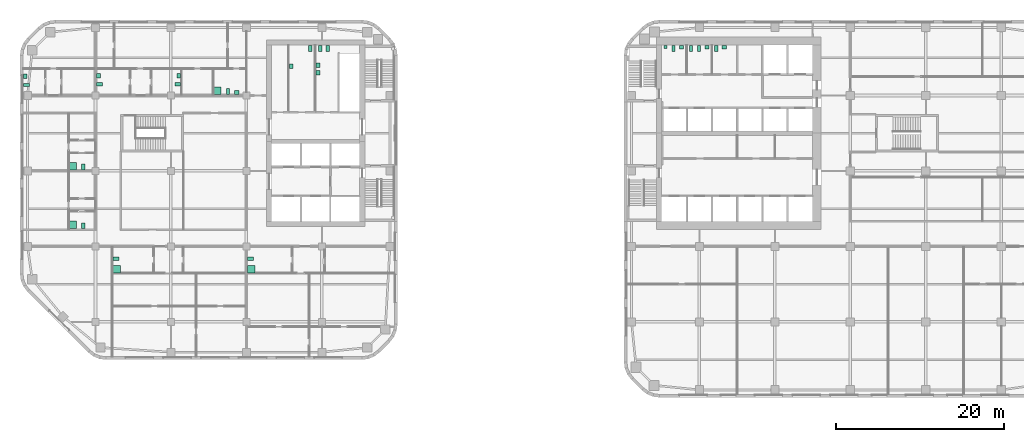
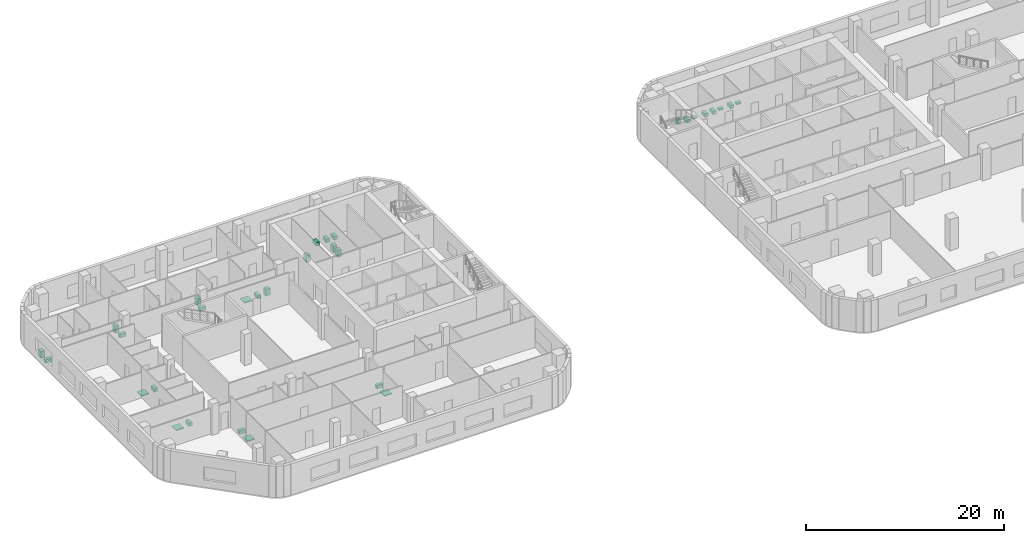
# One storey, part 16 of 16: 31 sanitary terminals.
"""IFC4 building model written with IfcOpenShell, lengths in metres."""

from ifc_helpers import new_model, si_unit, direction, frame, origin, origin_2d, place, context, subcontext, project, spatial, rectangle, extrude, material, type_object, element, save


model = new_model("IFC4")

# Units and contexts
model_context = context("Model", 3, precision=1e-05, world=origin(), true_north=direction((0.0, 1.0)))
body_context = subcontext(model_context, "Body", "Model", "MODEL_VIEW")
ifc_project = project(units=[si_unit("LENGTHUNIT", "METRE"), si_unit("AREAUNIT", "SQUARE_METRE"), si_unit("VOLUMEUNIT", "CUBIC_METRE"), si_unit("PLANEANGLEUNIT", "RADIAN"), si_unit("MASSUNIT", "GRAM", prefix="KILO")], contexts=[model_context])

# Site, building, storey
site_placement = place(None, origin())
site = spatial("IfcSite", under=ifc_project, at=site_placement, CompositionType="ELEMENT")
building_placement = place(site_placement, origin())
building = spatial("IfcBuilding", under=site, at=building_placement, Name="Cinnabar Reach Civic Tower", CompositionType="ELEMENT")
storey_placement = place(building_placement, frame((0.0, 0.0, 34.0)))
storey = spatial("IfcBuildingStorey", under=building, at=storey_placement, Name="L07", CompositionType="ELEMENT", Elevation=34.0)

# Sanitary terminals
ifc_material_1 = material(Name="Vitreous china")
sanitary_terminal_type_1 = type_object("IfcSanitaryTerminalType", Name="T1 WC pan", PredefinedType="TOILETPAN", material=ifc_material_1)
for number, where, z_axis, x_axis, name in (
    (1, (5.9, 41.6, 0.0), (0.0, 0.0, 1.0), (1.0, 0.0, 0.0), "T1 WC pan 0707-2"),
    (2, (8.0, 41.6, 0.0), (0.0, 0.0, 1.0), (1.0, 0.0, 0.0), "T1 WC pan 0708-1"),
    (3, (8.95, 41.6, 0.0), (0.0, 0.0, 1.0), (1.0, 0.0, 0.0), "T1 WC pan 0708-2"),
    (4, (11.0, 41.6, 0.0), (0.0, 0.0, 1.0), (1.0, 0.0, 0.0), "T1 WC pan 0709-1"),
):
    element("IfcSanitaryTerminal", number, at=place(storey_placement, frame(where, z_axis=z_axis, x_axis=x_axis)), inside=storey, type_object=sanitary_terminal_type_1, Name=name, PredefinedType="TOILETPAN", context=body_context, shape_type="SweptSolid", body=[
        extrude(rectangle(XDim=0.4, YDim=0.7, at=origin_2d()), origin(), (0.0, 0.0, 1.0), 0.4),
    ])
sanitary_terminal_type_2 = type_object("IfcSanitaryTerminalType", Name="T1 urinal", PredefinedType="URINAL", material=ifc_material_1)
sanitary_terminal_1_placement = place(storey_placement, frame((4.95, 41.775, 0.0), z_axis=(0.0, 0.0, 1.0), x_axis=(1.0, 0.0, 0.0)))
element("IfcSanitaryTerminal", 5, at=sanitary_terminal_1_placement, inside=storey, type_object=sanitary_terminal_type_2, Name="T1 urinal 0707-1", PredefinedType="URINAL", context=body_context, shape_type="SweptSolid", body=[
    extrude(rectangle(XDim=0.4, YDim=0.35, at=origin_2d()), origin(), (0.0, 0.0, 1.0), 0.6),
])
sanitary_terminal_type_3 = type_object("IfcSanitaryTerminalType", Name="T1 wash basin", PredefinedType="WASHHANDBASIN", material=ifc_material_1)
for number, where, z_axis, x_axis, name in (
    (6, (6.85, 41.74, 0.0), (0.0, 0.0, 1.0), (1.0, 0.0, 0.0), "T1 wash basin 0707-3"),
    (7, (9.9, 41.74, 0.0), (0.0, 0.0, 1.0), (1.0, 0.0, 0.0), "T1 wash basin 0708-3"),
    (8, (11.95, 41.74, 0.0), (0.0, 0.0, 1.0), (1.0, 0.0, 0.0), "T1 wash basin 0709-2"),
):
    element("IfcSanitaryTerminal", number, at=place(storey_placement, frame(where, z_axis=z_axis, x_axis=x_axis)), inside=storey, type_object=sanitary_terminal_type_3, Name=name, PredefinedType="WASHHANDBASIN", context=body_context, shape_type="SweptSolid", body=[
        extrude(rectangle(XDim=0.5, YDim=0.42, at=origin_2d()), origin(), (0.0, 0.0, 1.0), 0.2),
    ])
ifc_material_2 = material(Name="Acrylic tray")
sanitary_terminal_type_4 = type_object("IfcSanitaryTerminalType", Name="T2 Shower tray", PredefinedType="SHOWER", material=ifc_material_2)
for number, where, z_axis, x_axis, name in (
    (9, (-60.45, 15.3, 0.0), (0.0, 0.0, 1.0), (1.0, 0.0, 0.0), "Shower tray"),
    (10, (-44.425, 15.3, 0.0), (0.0, 0.0, 1.0), (1.0, 0.0, 0.0), "Shower tray"),
    (11, (-48.46, 36.575, 0.0), (0.0, 0.0, 1.0), (1.0, 0.0, 0.0), "Shower tray"),
    (12, (-65.7, 20.575, 0.0), (0.0, 0.0, 1.0), (1.0, 0.0, 0.0), "Shower tray"),
    (13, (-65.7, 27.575, 0.0), (0.0, 0.0, 1.0), (1.0, 0.0, 0.0), "Shower tray"),
):
    element("IfcSanitaryTerminal", number, at=place(storey_placement, frame(where, z_axis=z_axis, x_axis=x_axis)), inside=storey, type_object=sanitary_terminal_type_4, Name=name, PredefinedType="SHOWER", context=body_context, shape_type="SweptSolid", body=[
        extrude(rectangle(XDim=0.9, YDim=0.9, at=origin_2d()), origin(), (0.0, 0.0, 1.0), 0.1),
    ])
sanitary_terminal_type_5 = type_object("IfcSanitaryTerminalType", Name="T2 WC pan", PredefinedType="TOILETPAN", material=ifc_material_1)
for number, where, z_axis, x_axis, name in (
    (14, (-37.4, 41.6, 0.0), (0.0, 0.0, 1.0), (1.0, 0.0, 0.0), "WC pan"),
    (15, (-36.2, 41.6, 0.0), (0.0, 0.0, 1.0), (1.0, 0.0, 0.0), "WC pan"),
    (16, (-35.3, 41.6, 0.0), (0.0, 0.0, 1.0), (1.0, 0.0, 0.0), "WC pan"),
):
    element("IfcSanitaryTerminal", number, at=place(storey_placement, frame(where, z_axis=z_axis, x_axis=x_axis)), inside=storey, type_object=sanitary_terminal_type_5, Name=name, PredefinedType="TOILETPAN", context=body_context, shape_type="SweptSolid", body=[
        extrude(rectangle(XDim=0.4, YDim=0.7, at=origin_2d()), origin(), (0.0, 0.0, 1.0), 0.42),
    ])
for number, where, z_axis, x_axis, name in (
    (17, (-60.55, 16.55, 0.0), (0.0, 0.0, 1.0), (1.0, 0.0, 0.0), "WC pan"),
    (18, (-44.525, 16.55, 0.0), (0.0, 0.0, 1.0), (1.0, 0.0, 0.0), "WC pan"),
    (19, (-71.24, 37.25, 0.0), (0.0, 0.0, 1.0), (1.0, 0.0, 0.0), "WC pan"),
    (20, (-62.525, 37.325, 0.0), (0.0, 0.0, 1.0), (1.0, 0.0, 0.0), "WC pan"),
    (21, (-53.19, 37.325, 0.0), (0.0, 0.0, 1.0), (1.0, 0.0, 0.0), "WC pan"),
):
    element("IfcSanitaryTerminal", number, at=place(storey_placement, frame(where, z_axis=z_axis, x_axis=x_axis)), inside=storey, type_object=sanitary_terminal_type_5, Name=name, PredefinedType="TOILETPAN", context=body_context, shape_type="SweptSolid", body=[
        extrude(rectangle(XDim=0.7, YDim=0.4, at=origin_2d()), origin(), (0.0, 0.0, 1.0), 0.42),
    ])
for number, where, z_axis, x_axis, name in (
    (22, (-47.21, 36.475, 0.0), (0.0, 0.0, 1.0), (1.0, 0.0, 0.0), "WC pan"),
    (23, (-64.45, 20.475, 0.0), (0.0, 0.0, 1.0), (1.0, 0.0, 0.0), "WC pan"),
    (24, (-64.45, 27.475, 0.0), (0.0, 0.0, 1.0), (1.0, 0.0, 0.0), "WC pan"),
):
    element("IfcSanitaryTerminal", number, at=place(storey_placement, frame(where, z_axis=z_axis, x_axis=x_axis)), inside=storey, type_object=sanitary_terminal_type_5, Name=name, PredefinedType="TOILETPAN", context=body_context, shape_type="SweptSolid", body=[
        extrude(rectangle(XDim=0.4, YDim=0.7, at=origin_2d()), origin(), (0.0, 0.0, 1.0), 0.42),
    ])
sanitary_terminal_type_6 = type_object("IfcSanitaryTerminalType", Name="T2 Wash basin", PredefinedType="WASHHANDBASIN", material=ifc_material_1)
for number, where, z_axis, x_axis, name in (
    (25, (-39.675, 39.5, 0.0), (0.0, 0.0, 1.0), (1.0, 0.0, 0.0), "Wash basin"),
    (26, (-36.475, 39.6, 0.0), (0.0, 0.0, 1.0), (1.0, 0.0, 0.0), "Wash basin"),
    (27, (-36.475, 38.7, 0.0), (0.0, 0.0, 1.0), (1.0, 0.0, 0.0), "Wash basin"),
    (28, (-71.365, 38.3, 0.0), (0.0, 0.0, 1.0), (1.0, 0.0, 0.0), "Wash basin"),
    (29, (-62.65, 38.375, 0.0), (0.0, 0.0, 1.0), (1.0, 0.0, 0.0), "Wash basin"),
    (30, (-53.065, 38.375, 0.0), (0.0, 0.0, 1.0), (1.0, 0.0, 0.0), "Wash basin"),
):
    element("IfcSanitaryTerminal", number, at=place(storey_placement, frame(where, z_axis=z_axis, x_axis=x_axis)), inside=storey, type_object=sanitary_terminal_type_6, Name=name, PredefinedType="WASHHANDBASIN", context=body_context, shape_type="SweptSolid", body=[
        extrude(rectangle(XDim=0.45, YDim=0.55, at=origin_2d()), origin(), (0.0, 0.0, 1.0), 0.85),
    ])
sanitary_terminal_2_placement = place(storey_placement, frame((-46.16, 36.35, 0.0), z_axis=(0.0, 0.0, 1.0), x_axis=(1.0, 0.0, 0.0)))
element("IfcSanitaryTerminal", 31, at=sanitary_terminal_2_placement, inside=storey, type_object=sanitary_terminal_type_6, Name="Wash basin", PredefinedType="WASHHANDBASIN", context=body_context, shape_type="SweptSolid", body=[
    extrude(rectangle(XDim=0.55, YDim=0.45, at=origin_2d()), origin(), (0.0, 0.0, 1.0), 0.85),
])

save(model, "model.ifc")
